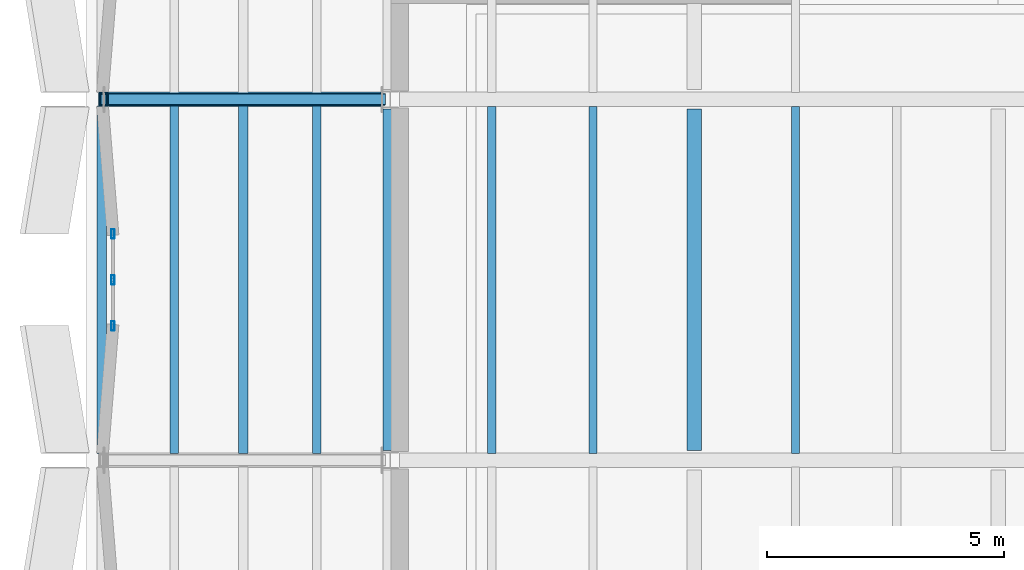
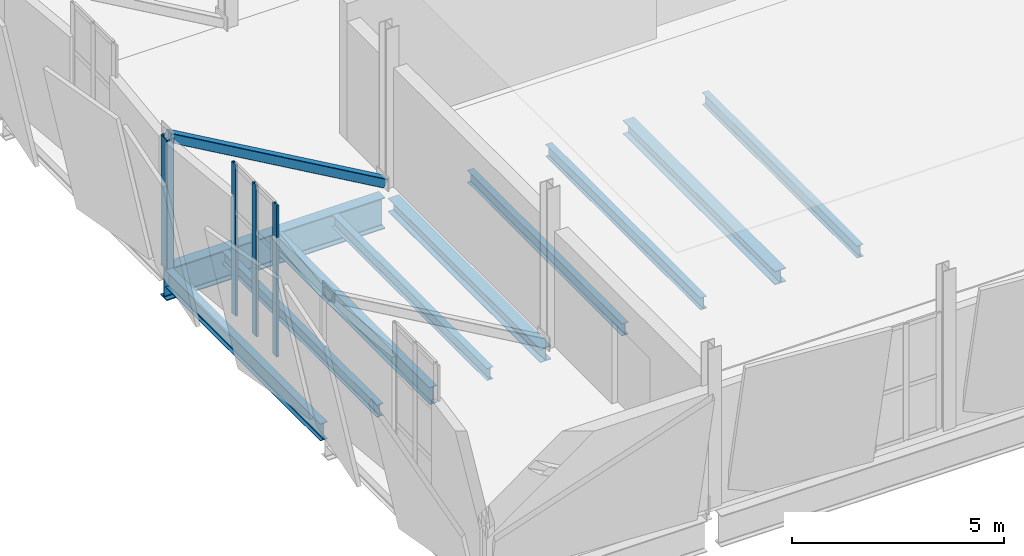
# One storey, part 32 of 172: 10 beams, 5 members, 1 element without a shape of its own.
"""IFC4 building model written with IfcOpenShell, lengths in metres."""

import ifcopenshell
import ifcopenshell.guid

model = None  # the IFC model being written
_history = None  # IfcOwnerHistory: only IFC2X3 demands one
_inside = {}  # id of a spatial element -> (the spatial element, [elements in it])
_under = {}  # id of a project, library or spatial element -> (it, [spatial elements below it])
_declared = {}  # id of a project -> (the project, [libraries it declares])
_typed = {}  # id of a type object -> (the type object, [elements of that type])
_made_of = {}  # id of a material, layer set ... -> (it, [elements and type objects made of it])


def new_model(schema):
    """Start an empty IFC model of exactly this schema.

    Asked for "IFC4X3", IfcOpenShell would pick the latest addendum, in which some entities
    have other attributes; the version numbers below select the first issue.
    IFC2X3 requires an IfcOwnerHistory on every rooted entity: one is made here for all.
    """
    global model, _history
    if schema == "IFC4X3":
        model = ifcopenshell.file(schema_version=(4, 3, 0, 0))
    else:
        model = ifcopenshell.file(schema=schema)
    _inside.clear()
    _under.clear()
    _declared.clear()
    _typed.clear()
    _made_of.clear()
    _history = None
    if model.schema == "IFC2X3":
        org = make("IfcOrganization", Name="unknown")
        user = make(
            "IfcPersonAndOrganization",
            ThePerson=make("IfcPerson", FamilyName="unknown"),
            TheOrganization=org,
        )
        app = make(
            "IfcApplication",
            ApplicationDeveloper=org,
            Version="unknown",
            ApplicationFullName="unknown",
            ApplicationIdentifier="unknown",
        )
        _history = make(
            "IfcOwnerHistory",
            OwningUser=user,
            OwningApplication=app,
            ChangeAction="ADDED",
            CreationDate=0,
        )
    return model


def make(cls, **values):
    """One entity of the class cls with the attributes given. An attribute that is None is left unset."""
    return model.create_entity(
        cls, **{name: value for name, value in values.items() if value is not None}
    )


def rooted(cls, **values):
    """An entity with a GlobalId (a new one), such as an element, a storey or a relation."""
    return make(cls, GlobalId=ifcopenshell.guid.new(), OwnerHistory=_history, **values)


def si_unit(unit_type, name, prefix=None):
    """IfcSIUnit, for example si_unit("LENGTHUNIT", "METRE", prefix="MILLI")."""
    return make("IfcSIUnit", UnitType=unit_type, Prefix=prefix, Name=name)


def assignment(units):
    """IfcUnitAssignment: the units of a project."""
    return None if units is None else make("IfcUnitAssignment", Units=units)


def point(xyz):
    """IfcCartesianPoint."""
    return None if xyz is None else make("IfcCartesianPoint", Coordinates=xyz)


def direction(xyz):
    """IfcDirection."""
    return None if xyz is None else make("IfcDirection", DirectionRatios=xyz)


def frame(location, z_axis=None, x_axis=None):
    """IfcAxis2Placement3D, a coordinate frame: its origin and axes. An axis left out is left unset."""
    return make(
        "IfcAxis2Placement3D",
        Location=point(location),
        Axis=direction(z_axis),
        RefDirection=direction(x_axis),
    )


def frame_2d(location, x_axis=None):
    """IfcAxis2Placement2D, a coordinate frame in the plane: its origin and x axis."""
    return make(
        "IfcAxis2Placement2D", Location=point(location), RefDirection=direction(x_axis)
    )


def origin():
    """The frame at (0, 0, 0) with its axes left unset."""
    return frame((0.0, 0.0, 0.0))


def origin_2d():
    """The frame at (0, 0) in the plane with its x axis left unset."""
    return frame_2d((0.0, 0.0))


def place(relative_to, where):
    """IfcLocalPlacement: puts the frame where relative to a parent placement (None: the world)."""
    return make(
        "IfcLocalPlacement", PlacementRelTo=relative_to, RelativePlacement=where
    )


def context(
    kind, dimensions, precision=None, world=None, true_north=None, identifier=None
):
    """IfcGeometricRepresentationContext, for example the 3D "Model" context."""
    return make(
        "IfcGeometricRepresentationContext",
        ContextIdentifier=identifier,
        ContextType=kind,
        CoordinateSpaceDimension=dimensions,
        Precision=precision,
        WorldCoordinateSystem=world,
        TrueNorth=true_north,
    )


def subcontext(parent, identifier, kind, view, scale=None):
    """IfcGeometricRepresentationSubContext, for example "Body" below "Model"."""
    return make(
        "IfcGeometricRepresentationSubContext",
        ContextIdentifier=identifier,
        ContextType=kind,
        ParentContext=parent,
        TargetScale=scale,
        TargetView=view,
    )


def project(units=None, contexts=None):
    """IfcProject with its units and contexts."""
    return rooted(
        "IfcProject",
        Name="project",
        RepresentationContexts=contexts,
        UnitsInContext=assignment(units),
    )


def spatial(cls, under=None, at=None, **own):
    """A site, building, storey or space (cls), placed at a placement, below another one or the project."""
    s = rooted(cls, ObjectPlacement=at, **own)
    if under is not None:
        _under.setdefault(under.id(), (under, []))[1].append(s)
    return s


def profile(cls, at=None, kind="AREA", **sizes):
    """A parametric profile (cls). Its sizes go by their IFC names, for example OverallWidth=200.0."""
    return make(cls, ProfileType=kind, Position=at, **sizes)


def hollow_rectangle(**sizes):
    """IfcRectangleHollowProfileDef."""
    return profile("IfcRectangleHollowProfileDef", **sizes)


def i_section(**sizes):
    """IfcIShapeProfileDef."""
    return profile("IfcIShapeProfileDef", **sizes)


def extrude(swept, where, along, depth):
    """IfcExtrudedAreaSolid: the profile swept, set in the frame where, extruded along a direction by depth."""
    return make(
        "IfcExtrudedAreaSolid",
        SweptArea=swept,
        Position=where,
        ExtrudedDirection=direction(along),
        Depth=depth,
    )


def shape(context_of_items, identifier, shape_type, items):
    """IfcShapeRepresentation: the items that make up one representation, for example the "Body"."""
    return make(
        "IfcShapeRepresentation",
        ContextOfItems=context_of_items,
        RepresentationIdentifier=identifier,
        RepresentationType=shape_type,
        Items=items,
    )


def material(Name=None, Category=None):
    """IfcMaterial."""
    return make("IfcMaterial", Name=Name, Category=Category)


def material_profile(
    of_material, cross_section, Name=None, Category=None, Priority=None
):
    """IfcMaterialProfile: a cross section and its material."""
    return make(
        "IfcMaterialProfile",
        Name=Name,
        Material=of_material,
        Profile=cross_section,
        Priority=Priority,
        Category=Category,
    )


def profile_set(profiles, Name=None, composite=None):
    """IfcMaterialProfileSet."""
    return make(
        "IfcMaterialProfileSet",
        Name=Name,
        MaterialProfiles=profiles,
        CompositeProfile=composite,
    )


def made_of(thing, what):
    """Note that an element or type object is made of a material, layer set ...; save() writes the relation."""
    if what is not None:
        _made_of.setdefault(what.id(), (what, []))[1].append(thing)
    return thing


def type_object(cls, material=None, **own):
    """A type object (cls), such as IfcWallType, which elements share."""
    return made_of(rooted(cls, **own), material)


def element(
    cls,
    number,
    at=None,
    inside=None,
    cuts=None,
    type_object=None,
    material=None,
    context=None,
    identifier="Body",
    shape_type=None,
    held_by="IfcProductDefinitionShape",
    body=None,
    shapes=None,
    **own,
):
    """One element of the class cls, such as IfcWall. Its Tag is "e" and its number.

    at: its placement. inside: the storey or other place that contains it. cuts: it is an
    opening in that element (IfcRelVoidsElement). A single representation is given by context,
    identifier, shape_type and body (its items); several are given by shapes. held_by: the class
    of the entity that holds the representations. save() writes the other relations.
    """
    e = rooted(cls, Tag="e%d" % number, ObjectPlacement=at, **own)
    if body is not None:
        shapes = [shape(context, identifier, shape_type, body)]
    if shapes is not None:
        e.Representation = make(held_by, Representations=shapes)
    if inside is not None:
        _inside.setdefault(inside.id(), (inside, []))[1].append(e)
    if cuts is not None:
        rooted(
            "IfcRelVoidsElement", RelatingBuildingElement=cuts, RelatedOpeningElement=e
        )
    if type_object is not None:
        _typed.setdefault(type_object.id(), (type_object, []))[1].append(e)
    return made_of(e, material)


def aggregate(whole, parts):
    """IfcRelAggregates: a whole, such as a stair, and the parts it consists of."""
    return rooted("IfcRelAggregates", RelatingObject=whole, RelatedObjects=parts)


def save(model, path):
    """Write the relations noted so far, then the file.

    IfcRelAggregates (storeys below a building ...), IfcRelContainedInSpatialStructure (elements
    in a storey), IfcRelDefinesByType, IfcRelAssociatesMaterial and IfcRelDeclares: one each for
    every whole, place, type object, material and project.
    """
    for whole, parts in _under.values():
        aggregate(whole, parts)
    for where, things in _inside.values():
        rooted(
            "IfcRelContainedInSpatialStructure",
            RelatedElements=things,
            RelatingStructure=where,
        )
    for kind, things in _typed.values():
        rooted("IfcRelDefinesByType", RelatedObjects=things, RelatingType=kind)
    for what, things in _made_of.values():
        rooted("IfcRelAssociatesMaterial", RelatedObjects=things, RelatingMaterial=what)
    for by, libraries in _declared.values():
        rooted("IfcRelDeclares", RelatingContext=by, RelatedDefinitions=libraries)
    model.write(path)


model = new_model("IFC4")

# Units and contexts
model_context = context("Model", 3, precision=1e-05, world=origin(), true_north=direction((0.0, 1.0)))
body_context = subcontext(model_context, "Body", "Model", "MODEL_VIEW")
ifc_project = project(units=[si_unit("LENGTHUNIT", "METRE"), si_unit("AREAUNIT", "SQUARE_METRE"), si_unit("VOLUMEUNIT", "CUBIC_METRE"), si_unit("PLANEANGLEUNIT", "RADIAN"), si_unit("MASSUNIT", "GRAM", prefix="KILO")], contexts=[model_context])

# Site, building, storey
site_placement = place(None, origin())
site = spatial("IfcSite", under=ifc_project, at=site_placement, CompositionType="ELEMENT")
building_placement = place(site_placement, origin())
building = spatial("IfcBuilding", under=site, at=building_placement, Name="Shengluoqiao Park Theatre", CompositionType="ELEMENT")
storey_placement = place(building_placement, frame((0.0, 0.0, 5.39990234375)))
storey = spatial("IfcBuildingStorey", under=building, at=storey_placement, Name="L01", CompositionType="ELEMENT", Elevation=5.39990234375)

# Curtain wall, members
ifc_material_1 = material(Name="Aluminium 6063-T6", Category="aluminium")
curtain_wall_type = type_object("IfcCurtainWallType", Name="ENV-CW-STUDIO", PredefinedType="NOTDEFINED", material=ifc_material_1)
curtain_wall_placement = place(storey_placement, origin())
curtain_wall = element("IfcCurtainWall", 1, at=curtain_wall_placement, inside=storey, type_object=curtain_wall_type, Name="L01 Curtain Wall CW-L01-SLIT-0233", PredefinedType="NOTDEFINED")
ifc_material_profile_1 = material_profile(ifc_material_1, hollow_rectangle(XDim=0.06494140625, YDim=0.199951171875, WallThickness=0.0048828125, InnerFilletRadius=0.0048828125, OuterFilletRadius=0.010009765625, at=origin_2d()), Name="ALU MULLION 200x65x5")
ifc_profile_set_1 = profile_set([ifc_material_profile_1], Name="Aluminium 6063-T6")
member_type_1 = type_object("IfcMemberType", Name="ENV-MUL-200", PredefinedType="MULLION", material=ifc_profile_set_1)
member_1_placement = place(storey_placement, frame((0.56005859375, 40.83251953125, 0.0), z_axis=(0.0, 0.0, 1.0), x_axis=(-1.0, 0.0, 0.0)))
member_1 = element("IfcMember", 2, at=member_1_placement, type_object=member_type_1, Name="CW-02 mullion 1", PredefinedType="MULLION", context=body_context, shape_type="SweptSolid", body=[
    extrude(hollow_rectangle(XDim=0.06494140625, YDim=0.199951171875, WallThickness=0.0048828125, InnerFilletRadius=0.0048828125, OuterFilletRadius=0.010009765625, at=origin_2d()), origin(), (0.0, 0.0, 1.0), 4.360107421875),
])
member_2_placement = place(storey_placement, frame((0.56005859375, 41.800048828125, 0.0), z_axis=(0.0, 0.0, 1.0), x_axis=(-1.0, 0.0, 0.0)))
member_2 = element("IfcMember", 3, at=member_2_placement, type_object=member_type_1, Name="CW-02 mullion 2", PredefinedType="MULLION", context=body_context, shape_type="SweptSolid", body=[
    extrude(hollow_rectangle(XDim=0.06494140625, YDim=0.199951171875, WallThickness=0.0048828125, InnerFilletRadius=0.0048828125, OuterFilletRadius=0.010009765625, at=origin_2d()), origin(), (0.0, 0.0, 1.0), 4.360107421875),
])
member_3_placement = place(storey_placement, frame((0.56005859375, 42.767578125, 0.0), z_axis=(0.0, 0.0, 1.0), x_axis=(-1.0, 0.0, 0.0)))
member_3 = element("IfcMember", 4, at=member_3_placement, type_object=member_type_1, Name="CW-02 mullion 3", PredefinedType="MULLION", context=body_context, shape_type="SweptSolid", body=[
    extrude(hollow_rectangle(XDim=0.06494140625, YDim=0.199951171875, WallThickness=0.0048828125, InnerFilletRadius=0.0048828125, OuterFilletRadius=0.010009765625, at=origin_2d()), origin(), (0.0, 0.0, 1.0), 4.360107421875),
])
aggregate(curtain_wall, [member_1, member_2, member_3])

# Beams
ifc_material_2 = material(Name="Steel Q355", Category="steel")
ifc_material_profile_2 = material_profile(ifc_material_2, i_section(OverallWidth=0.300048828125, OverallDepth=0.389892578125, WebThickness=0.010009765625, FlangeThickness=0.01611328125, FilletRadius=0.01806640625, at=origin_2d()), Name="HM 390x300x10x16")
ifc_profile_set_2 = profile_set([ifc_material_profile_2], Name="Steel Q355")
beam_type_1 = type_object("IfcBeamType", Name="STR-BM-G-HM390", PredefinedType="BEAM", material=ifc_profile_set_2)
for number, where, z_axis, x_axis, name in (
    (5, (6.39990234375, 38.2080078125, -0.434814453125), (0.0, 1.0, 0.0), (-1.0, 0.0, 0.0), "L01 Transverse Girder 00374"),
    (6, (12.800048828125, 38.2080078125, -0.434814453125), (0.0, 1.0, 0.0), (-1.0, 0.0, 0.0), "L01 Transverse Girder 00377"),
):
    element("IfcBeam", number, at=place(storey_placement, frame(where, z_axis=z_axis, x_axis=x_axis)), inside=storey, type_object=beam_type_1, Name=name, PredefinedType="BEAM", context=body_context, shape_type="SweptSolid", body=[
        extrude(i_section(OverallWidth=0.300048828125, OverallDepth=0.389892578125, WebThickness=0.010009765625, FlangeThickness=0.01611328125, FilletRadius=0.01806640625, at=origin_2d()), origin(), (0.0, 0.0, 1.0), 7.18408203125),
    ])
ifc_material_3 = material(Name="Steel Q390", Category="steel")
ifc_material_profile_3 = material_profile(ifc_material_3, i_section(OverallWidth=0.300048828125, OverallDepth=0.89990234375, WebThickness=0.01611328125, FlangeThickness=0.028076171875, FilletRadius=0.028076171875, at=origin_2d()), Name="HN 900x300x16x28")
ifc_profile_set_3 = profile_set([ifc_material_profile_3], Name="Steel Q390")
beam_type_2 = type_object("IfcBeamType", Name="STR-BM-G-HN900", PredefinedType="BEAM", material=ifc_profile_set_3)
beam_placement = place(storey_placement, frame((0.260009765625, 45.60009765625, -0.68994140625), z_axis=(1.0, 0.0, 0.0), x_axis=(0.0, 1.0, 0.0)))
element("IfcBeam", 7, at=beam_placement, inside=storey, type_object=beam_type_2, Name="CT-V3-3 L01 Cantilever Overhang Chord", PredefinedType="BEAM", context=body_context, shape_type="SweptSolid", body=[
    extrude(i_section(OverallWidth=0.300048828125, OverallDepth=0.89990234375, WebThickness=0.01611328125, FlangeThickness=0.028076171875, FilletRadius=0.028076171875, at=origin_2d()), origin(), (0.0, 0.0, 1.0), 5.948486328125),
])
ifc_material_profile_4 = material_profile(ifc_material_2, i_section(OverallWidth=0.175048828125, OverallDepth=0.35009765625, WebThickness=0.007080078125, FlangeThickness=0.010986328125, FilletRadius=0.013916015625, at=origin_2d()), Name="HN 350x175x7x11")
ifc_profile_set_4 = profile_set([ifc_material_profile_4], Name="Steel Q355")
beam_type_3 = type_object("IfcBeamType", Name="STR-BM-J-HN350", PredefinedType="JOIST", material=ifc_profile_set_4)
for number, where, z_axis, x_axis, name in (
    (8, (1.85009765625, 38.14404296875, -0.414794921875), (0.0, 1.0, 0.0), (-1.0, 0.0, 0.0), "V3 L01 Cantilever Joist 00005"),
    (9, (4.85009765625, 38.14404296875, -0.414794921875), (0.0, 1.0, 0.0), (-1.0, 0.0, 0.0), "V3 L01 Cantilever Joist 00008"),
):
    element("IfcBeam", number, at=place(storey_placement, frame(where, z_axis=z_axis, x_axis=x_axis)), inside=storey, type_object=beam_type_3, Name=name, PredefinedType="JOIST", context=body_context, shape_type="SweptSolid", body=[
        extrude(i_section(OverallWidth=0.175048828125, OverallDepth=0.35009765625, WebThickness=0.007080078125, FlangeThickness=0.010986328125, FilletRadius=0.013916015625, at=origin_2d()), origin(), (0.0, 0.0, 1.0), 7.31201171875),
    ])
for number, where, z_axis, x_axis, name in (
    (10, (8.533203125, 38.14501953125, -0.414794921875), (0.0, 1.0, 0.0), (-1.0, 0.0, 0.0), "L01 Composite Joist 00383"),
    (11, (10.666748046875, 38.14501953125, -0.414794921875), (0.0, 1.0, 0.0), (-1.0, 0.0, 0.0), "L01 Composite Joist 00384"),
    (12, (14.933349609375, 38.14501953125, -0.414794921875), (0.0, 1.0, 0.0), (-1.0, 0.0, 0.0), "L01 Composite Joist 00389"),
):
    element("IfcBeam", number, at=place(storey_placement, frame(where, z_axis=z_axis, x_axis=x_axis)), inside=storey, type_object=beam_type_3, Name=name, PredefinedType="JOIST", context=body_context, shape_type="SweptSolid", body=[
        extrude(i_section(OverallWidth=0.175048828125, OverallDepth=0.35009765625, WebThickness=0.007080078125, FlangeThickness=0.010986328125, FilletRadius=0.013916015625, at=origin_2d()), origin(), (0.0, 0.0, 1.0), 7.31005859375),
    ])
ifc_material_profile_5 = material_profile(ifc_material_2, i_section(OverallWidth=0.198974609375, OverallDepth=0.49609375, WebThickness=0.009033203125, FlangeThickness=0.013916015625, FilletRadius=0.01806640625, at=origin_2d()), Name="HN 496x199x9x14")
ifc_profile_set_5 = profile_set([ifc_material_profile_5], Name="Steel Q355")
beam_type_4 = type_object("IfcBeamType", Name="STR-BM-SP-HN496", PredefinedType="SPANDREL", material=ifc_profile_set_5)
for number, where, z_axis, x_axis, name in (
    (13, (0.320068359375, 38.14404296875, -0.48779296875), (0.0, 1.0, 0.0), (-1.0, 0.0, 0.0), "V3 L01 Cantilever Spandrel 00001"),
    (14, (3.300048828125, 38.14404296875, -0.48779296875), (0.0, 1.0, 0.0), (-1.0, 0.0, 0.0), "V3 L01 Cantilever Spandrel 00003"),
):
    element("IfcBeam", number, at=place(storey_placement, frame(where, z_axis=z_axis, x_axis=x_axis)), inside=storey, type_object=beam_type_4, Name=name, PredefinedType="SPANDREL", context=body_context, shape_type="SweptSolid", body=[
        extrude(i_section(OverallWidth=0.198974609375, OverallDepth=0.49609375, WebThickness=0.009033203125, FlangeThickness=0.013916015625, FilletRadius=0.01806640625, at=origin_2d()), origin(), (0.0, 0.0, 1.0), 7.31201171875),
    ])

# Members
ifc_material_profile_6 = material_profile(ifc_material_2, hollow_rectangle(XDim=0.25, YDim=0.25, WallThickness=0.011962890625, InnerFilletRadius=0.011962890625, OuterFilletRadius=0.02392578125, at=origin_2d()), Name="RHS 250x250x12")
ifc_profile_set_6 = profile_set([ifc_material_profile_6], Name="Steel Q355")
member_type_2 = type_object("IfcMemberType", Name="STR-MEM-BRR-250", PredefinedType="BRACE", material=ifc_profile_set_6)
member_4_placement = place(storey_placement, frame((6.239990234375, 45.60009765625, 0.1201171875), z_axis=(-0.866973184709, 0.0, 0.49835479028), x_axis=(0.0, -1.0, 0.0)))
element("IfcMember", 15, at=member_4_placement, inside=storey, type_object=member_type_2, Name="CT-V3-3 L01 Cantilever Raking Strut", PredefinedType="BRACE", context=body_context, shape_type="SweptSolid", body=[
    extrude(hollow_rectangle(XDim=0.25, YDim=0.25, WallThickness=0.011962890625, InnerFilletRadius=0.011962890625, OuterFilletRadius=0.02392578125, at=origin_2d()), origin(), (0.0, 0.0, 1.0), 6.781982421875),
])
ifc_material_profile_7 = material_profile(ifc_material_3, hollow_rectangle(XDim=0.199951171875, YDim=0.300048828125, WallThickness=0.011962890625, InnerFilletRadius=0.011962890625, OuterFilletRadius=0.02392578125, at=origin_2d()), Name="RHS 300x200x12")
ifc_profile_set_7 = profile_set([ifc_material_profile_7], Name="Steel Q390")
member_type_3 = type_object("IfcMemberType", Name="STR-MEM-PTR-302", PredefinedType="POST", material=ifc_profile_set_7)
member_5_placement = place(storey_placement, frame((0.360107421875, 45.60009765625, -0.260009765625), z_axis=(0.0, 0.0, 1.0), x_axis=(1.0, 0.0, 0.0)))
element("IfcMember", 16, at=member_5_placement, inside=storey, type_object=member_type_3, Name="CT-V3-3 L01 Cantilever Tip Post", PredefinedType="POST", context=body_context, shape_type="SweptSolid", body=[
    extrude(hollow_rectangle(XDim=0.199951171875, YDim=0.300048828125, WallThickness=0.011962890625, InnerFilletRadius=0.011962890625, OuterFilletRadius=0.02392578125, at=origin_2d()), origin(), (0.0, 0.0, 1.0), 3.739990234375),
])

save(model, "model.ifc")
